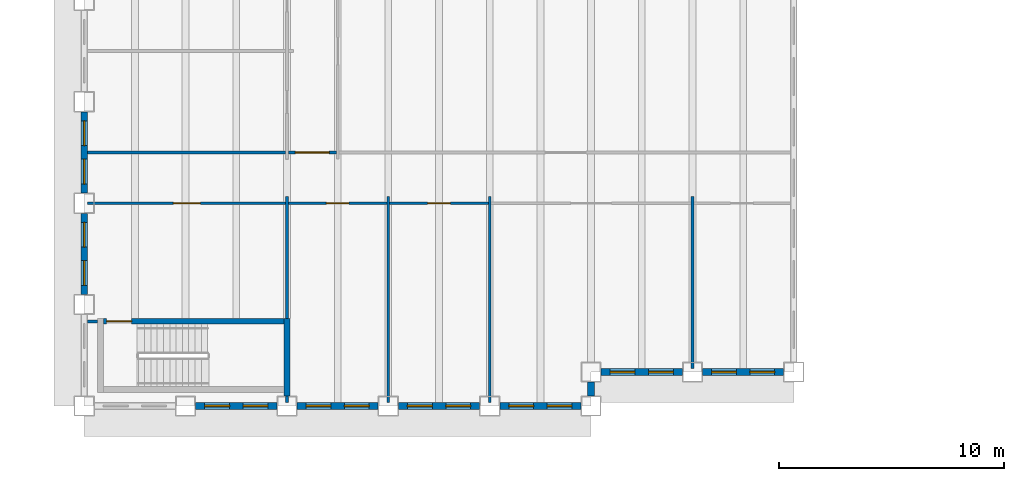
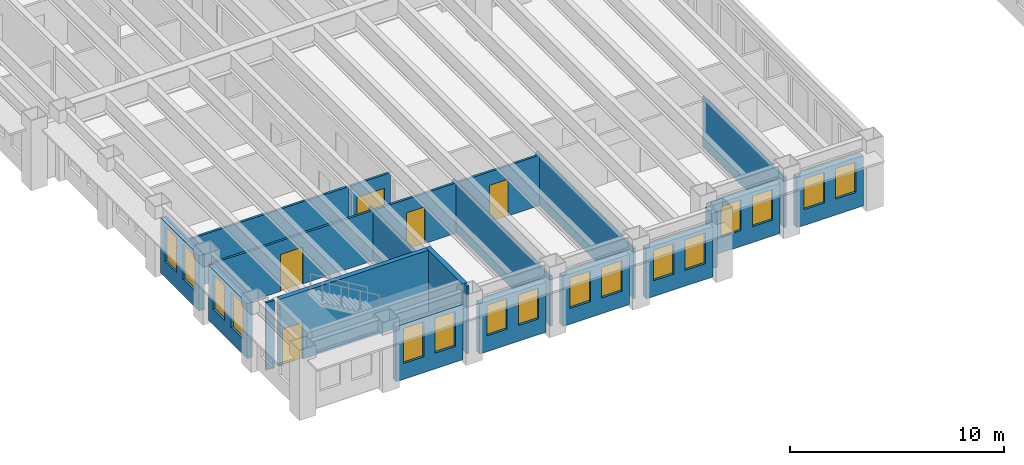
# One storey, part 3 of 13: 22 walls, 16 windows, 5 doors, 21 openings.
"""IFC4 building model written with IfcOpenShell, lengths in metres."""

from ifc_helpers import new_model, si_unit, direction, frame, frame_2d, origin, place, context, subcontext, project, spatial, rectangle, extrude, material, layer, layer_set, type_object, element, fill, save


model = new_model("IFC4")

# Units and contexts
model_context = context("Model", 3, precision=1e-05, world=origin(), true_north=direction((0.0, 1.0)))
body_context = subcontext(model_context, "Body", "Model", "MODEL_VIEW")
ifc_project = project(units=[si_unit("LENGTHUNIT", "METRE"), si_unit("AREAUNIT", "SQUARE_METRE"), si_unit("VOLUMEUNIT", "CUBIC_METRE"), si_unit("PLANEANGLEUNIT", "RADIAN"), si_unit("MASSUNIT", "GRAM", prefix="KILO")], contexts=[model_context])

# Site, building, storey
site_placement = place(None, origin())
site = spatial("IfcSite", under=ifc_project, at=site_placement, CompositionType="ELEMENT")
building_placement = place(site_placement, origin())
building = spatial("IfcBuilding", under=site, at=building_placement, Name="Sennacour Bend Tower", CompositionType="ELEMENT")
storey_placement = place(building_placement, frame((0.0, 0.0, 143.0)))
storey = spatial("IfcBuildingStorey", under=building, at=storey_placement, Name="L32", CompositionType="ELEMENT", Elevation=143.0)

# Walls
ifc_material_1 = material(Name="Plasterboard partition on steel studs", Category="steel")
ifc_layer_1 = layer(ifc_material_1, 0.1201171875, Name="Plasterboard partition on steel studs", Category="steel")
ifc_layer_set_1 = layer_set([ifc_layer_1], Name="Plasterboard partition on steel studs")
wall_type_1 = type_object("IfcWallType", Name="Partition 120", PredefinedType="PARTITIONING", material=ifc_layer_set_1)
wall_1_placement = place(storey_placement, frame((9.0, 0.14990234375, 0.0), z_axis=(0.0, 0.0, 1.0), x_axis=(0.0, 1.0, 0.0)))
element("IfcWall", 1, at=wall_1_placement, inside=storey, type_object=wall_type_1, Name="P-L32-W009a", PredefinedType="PARTITIONING", context=body_context, shape_type="SweptSolid", body=[
    extrude(rectangle(XDim=0.300048828125, YDim=0.1201171875, at=frame_2d((0.14990234375, 0.0))), origin(), (0.0, 0.0, 1.0), 3.85009765625),
])
wall_2_placement = place(storey_placement, frame((9.0, 3.875, 0.0), z_axis=(0.0, 0.0, 1.0), x_axis=(0.0, 1.0, 0.0)))
element("IfcWall", 2, at=wall_2_placement, inside=storey, type_object=wall_type_1, Name="P-L32-W011a", PredefinedType="PARTITIONING", context=body_context, shape_type="SweptSolid", body=[
    extrude(rectangle(XDim=5.425048828125, YDim=0.1201171875, at=frame_2d((2.71240234375, 0.0))), origin(), (0.0, 0.0, 1.0), 2.8701171875),
])
for number, where, z_axis, x_axis, name in (
    (3, (13.5, 0.14990234375, 0.0), (0.0, 0.0, 1.0), (0.0, 1.0, 0.0), "P-L32-W016a"),
    (4, (18.0, 0.14990234375, 0.0), (0.0, 0.0, 1.0), (0.0, 1.0, 0.0), "P-L32-W019a"),
):
    element("IfcWall", number, at=place(storey_placement, frame(where, z_axis=z_axis, x_axis=x_axis)), inside=storey, type_object=wall_type_1, Name=name, PredefinedType="PARTITIONING", context=body_context, shape_type="SweptSolid", body=[
        extrude(rectangle(XDim=9.150146484375, YDim=0.1201171875, at=frame_2d((4.5751953125, 0.0))), origin(), (0.0, 0.0, 1.0), 2.8701171875),
    ])
wall_3_placement = place(storey_placement, frame((27.0, 1.64990234375, 0.0), z_axis=(0.0, 0.0, 1.0), x_axis=(0.0, 1.0, 0.0)))
element("IfcWall", 5, at=wall_3_placement, inside=storey, type_object=wall_type_1, Name="P-L32-W024a", PredefinedType="PARTITIONING", context=body_context, shape_type="SweptSolid", body=[
    extrude(rectangle(XDim=7.650146484375, YDim=0.1201171875, at=frame_2d((3.8251953125, 0.0))), origin(), (0.0, 0.0, 1.0), 2.8701171875),
])
wall_4_placement = place(storey_placement, frame((0.14990234375, 3.75, 0.0), z_axis=(0.0, 0.0, 1.0), x_axis=(1.0, 0.0, 0.0)))
element("IfcWall", 6, at=wall_4_placement, inside=storey, type_object=wall_type_1, Name="P-L32-W044a", PredefinedType="PARTITIONING", context=body_context, shape_type="SweptSolid", body=[
    extrude(rectangle(XDim=0.4501953125, YDim=0.1201171875, at=frame_2d((0.22509765625, 0.0))), origin(), (0.0, 0.0, 1.0), 3.85009765625),
])

# Wall, opening, door
wall_5_placement = place(storey_placement, frame((9.06005859375, 9.0, 0.0), z_axis=(0.0, 0.0, 1.0), x_axis=(1.0, 0.0, 0.0)))
wall_5 = element("IfcWall", 7, at=wall_5_placement, inside=storey, type_object=wall_type_1, Name="P-L32-W051ab", PredefinedType="PARTITIONING", context=body_context, shape_type="SweptSolid", body=[
    extrude(rectangle(XDim=4.3798828125, YDim=0.1201171875, at=frame_2d((2.18994140625, 0.0))), origin(), (0.0, 0.0, 1.0), 2.8701171875),
])
opening_1_placement = place(wall_5_placement, frame((1.68994140625, 0.0, 0.0)))
opening_1 = element("IfcOpeningElement", 8, at=opening_1_placement, cuts=wall_5, Name="Opening OD2", PredefinedType="OPENING", context=body_context, shape_type="SweptSolid", body=[
    extrude(rectangle(XDim=1.0, YDim=2.10009765625, at=frame_2d((0.5, 1.050048828125))), frame((0.0, 0.070068359375, 0.0), z_axis=(0.0, -1.0, 0.0), x_axis=(1.0, 0.0, 0.0)), (0.0, 0.0, 1.0), 0.14013671875),
])
ifc_material_2 = material(Name="Timber", Category="wood")
door_type_1 = type_object("IfcDoorType", Name="DR-OFFICE-1000", OperationType="NOTDEFINED", PredefinedType="DOOR", material=ifc_material_2)
door_1_placement = place(opening_1_placement, origin())
door_1 = element("IfcDoor", 9, at=door_1_placement, inside=storey, type_object=door_type_1, Name="Door", OperationType="SINGLE_SWING_LEFT", OverallHeight=2.10009765625, OverallWidth=1.0, PredefinedType="DOOR", context=body_context, shape_type="SweptSolid", body=[
    extrude(rectangle(XDim=1.0, YDim=2.10009765625, at=frame_2d((0.5, 1.050048828125))), frame((0.0, 0.02490234375, 0.0), z_axis=(0.0, -1.0, 0.0), x_axis=(1.0, 0.0, 0.0)), (0.0, 0.0, 1.0), 0.050048828125),
])
fill(opening_1, door_1)

wall_6_placement = place(storey_placement, frame((13.56005859375, 9.0, 0.0), z_axis=(0.0, 0.0, 1.0), x_axis=(1.0, 0.0, 0.0)))
wall_6 = element("IfcWall", 10, at=wall_6_placement, inside=storey, type_object=wall_type_1, Name="P-L32-W051ac", PredefinedType="PARTITIONING", context=body_context, shape_type="SweptSolid", body=[
    extrude(rectangle(XDim=4.3798828125, YDim=0.1201171875, at=frame_2d((2.18994140625, 0.0))), origin(), (0.0, 0.0, 1.0), 2.8701171875),
])
opening_2_placement = place(wall_6_placement, frame((1.68994140625, 0.0, 0.0)))
opening_2 = element("IfcOpeningElement", 11, at=opening_2_placement, cuts=wall_6, Name="Opening MD2", PredefinedType="OPENING", context=body_context, shape_type="SweptSolid", body=[
    extrude(rectangle(XDim=1.0, YDim=2.10009765625, at=frame_2d((0.5, 1.050048828125))), frame((0.0, 0.070068359375, 0.0), z_axis=(0.0, -1.0, 0.0), x_axis=(1.0, 0.0, 0.0)), (0.0, 0.0, 1.0), 0.14013671875),
])
door_type_2 = type_object("IfcDoorType", Name="DR-MEETING-1000", OperationType="NOTDEFINED", PredefinedType="DOOR", material=ifc_material_2)
door_2_placement = place(opening_2_placement, origin())
door_2 = element("IfcDoor", 12, at=door_2_placement, inside=storey, type_object=door_type_2, Name="Door", OperationType="SINGLE_SWING_LEFT", OverallHeight=2.10009765625, OverallWidth=1.0, PredefinedType="DOOR", context=body_context, shape_type="SweptSolid", body=[
    extrude(rectangle(XDim=1.0, YDim=2.10009765625, at=frame_2d((0.5, 1.050048828125))), frame((0.0, 0.02490234375, 0.0), z_axis=(0.0, -1.0, 0.0), x_axis=(1.0, 0.0, 0.0)), (0.0, 0.0, 1.0), 0.050048828125),
])
fill(opening_2, door_2)

# Wall
wall_7_placement = place(storey_placement, frame((0.14990234375, 11.25, 0.0), z_axis=(0.0, 0.0, 1.0), x_axis=(1.0, 0.0, 0.0)))
element("IfcWall", 13, at=wall_7_placement, inside=storey, type_object=wall_type_1, Name="P-L32-W054aa", PredefinedType="PARTITIONING", context=body_context, shape_type="SweptSolid", body=[
    extrude(rectangle(XDim=8.7900390625, YDim=0.1201171875, at=frame_2d((4.39501953125, 0.0))), origin(), (0.0, 0.0, 1.0), 2.8701171875),
])

# Wall, opening, door
ifc_layer_2 = layer(ifc_material_1, 0.1201171875, Name="Plasterboard partition on steel studs", Category="steel")
ifc_layer_set_2 = layer_set([ifc_layer_2], Name="Plasterboard partition on steel studs")
wall_type_2 = type_object("IfcWallType", Name="Partition 120 EI 30", PredefinedType="PARTITIONING", material=ifc_layer_set_2)
wall_8_placement = place(storey_placement, frame((0.14990234375, 9.0, 0.0), z_axis=(0.0, 0.0, 1.0), x_axis=(1.0, 0.0, 0.0)))
wall_8 = element("IfcWall", 14, at=wall_8_placement, inside=storey, type_object=wall_type_2, Name="P-L32-W051aa", PredefinedType="PARTITIONING", context=body_context, shape_type="SweptSolid", body=[
    extrude(rectangle(XDim=8.7900390625, YDim=0.1201171875, at=frame_2d((4.39501953125, 0.0))), origin(), (0.0, 0.0, 1.0), 2.8701171875),
])
opening_3_placement = place(wall_8_placement, frame((3.80517578125, 0.0, 0.0)))
opening_3 = element("IfcOpeningElement", 15, at=opening_3_placement, cuts=wall_8, Name="Opening KD2", PredefinedType="OPENING", context=body_context, shape_type="SweptSolid", body=[
    extrude(rectangle(XDim=1.199951171875, YDim=2.10009765625, at=frame_2d((0.60009765625, 1.050048828125))), frame((0.0, 0.070068359375, 0.0), z_axis=(0.0, -1.0, 0.0), x_axis=(1.0, 0.0, 0.0)), (0.0, 0.0, 1.0), 0.14013671875),
])
ifc_material_3 = material(Name="Painted steel", Category="steel")
door_type_3 = type_object("IfcDoorType", Name="DR-CORRIDOR-1200", OperationType="NOTDEFINED", PredefinedType="DOOR", material=ifc_material_3)
door_3_placement = place(opening_3_placement, origin())
door_3 = element("IfcDoor", 16, at=door_3_placement, inside=storey, type_object=door_type_3, Name="Door", OperationType="SINGLE_SWING_RIGHT", OverallHeight=2.10009765625, OverallWidth=1.199951171875, PredefinedType="DOOR", context=body_context, shape_type="SweptSolid", body=[
    extrude(rectangle(XDim=1.199951171875, YDim=2.10009765625, at=frame_2d((0.60009765625, 1.050048828125))), frame((0.0, 0.02490234375, 0.0), z_axis=(0.0, -1.0, 0.0), x_axis=(1.0, 0.0, 0.0)), (0.0, 0.0, 1.0), 0.050048828125),
])
fill(opening_3, door_3)

wall_9_placement = place(storey_placement, frame((9.06005859375, 11.25, 0.0), z_axis=(0.0, 0.0, 1.0), x_axis=(1.0, 0.0, 0.0)))
wall_9 = element("IfcWall", 17, at=wall_9_placement, inside=storey, type_object=wall_type_2, Name="P-L32-W054ab", PredefinedType="PARTITIONING", context=body_context, shape_type="SweptSolid", body=[
    extrude(rectangle(XDim=2.1298828125, YDim=0.1201171875, at=frame_2d((1.06494140625, 0.0))), origin(), (0.0, 0.0, 1.0), 2.8701171875),
])
opening_4_placement = place(wall_9_placement, frame((0.31494140625, 0.0, 0.0)))
opening_4 = element("IfcOpeningElement", 18, at=opening_4_placement, cuts=wall_9, Name="Opening KD", PredefinedType="OPENING", context=body_context, shape_type="SweptSolid", body=[
    extrude(rectangle(XDim=1.5, YDim=2.10009765625, at=frame_2d((0.75, 1.050048828125))), frame((0.0, 0.070068359375, 0.0), z_axis=(0.0, -1.0, 0.0), x_axis=(1.0, 0.0, 0.0)), (0.0, 0.0, 1.0), 0.14013671875),
])
door_type_4 = type_object("IfcDoorType", Name="DR-CORRIDOR-1500", OperationType="NOTDEFINED", PredefinedType="DOOR", material=ifc_material_3)
door_4_placement = place(opening_4_placement, origin())
door_4 = element("IfcDoor", 19, at=door_4_placement, inside=storey, type_object=door_type_4, Name="Door", OperationType="SINGLE_SWING_LEFT", OverallHeight=2.10009765625, OverallWidth=1.5, PredefinedType="DOOR", context=body_context, shape_type="SweptSolid", body=[
    extrude(rectangle(XDim=1.5, YDim=2.10009765625, at=frame_2d((0.75, 1.050048828125))), frame((0.0, 0.02490234375, 0.0), z_axis=(0.0, -1.0, 0.0), x_axis=(1.0, 0.0, 0.0)), (0.0, 0.0, 1.0), 0.050048828125),
])
fill(opening_4, door_4)

# Wall, openings, windows
ifc_material_4 = material(Name="Warm limestone cladding", Category="masonry")
ifc_layer_3 = layer(ifc_material_4, 0.050048828125, Name="Warm limestone cladding", Category="masonry")
ifc_material_5 = material(Name="Precast concrete C40/50", Category="concrete")
ifc_layer_4 = layer(ifc_material_5, 0.25, Name="Precast concrete C40/50", Category="concrete")
ifc_layer_set_3 = layer_set([ifc_layer_3, ifc_layer_4], Name="Precast concrete C40/50 with limestone cladding")
wall_type_3 = type_object("IfcWallType", Name="STONE-CLAD PRECAST SPANDREL 300", PredefinedType="STANDARD", material=ifc_layer_set_3)
wall_10_placement = place(storey_placement, frame((0.0, 13.050048828125, 0.0), z_axis=(0.0, 0.0, 1.0), x_axis=(0.0, -1.0, 0.0)))
wall_10 = element("IfcWall", 20, at=wall_10_placement, inside=storey, type_object=wall_type_3, Name="Stone spandrel and pier wall L32 23.02", PredefinedType="STANDARD", context=body_context, shape_type="SweptSolid", body=[
    extrude(rectangle(XDim=3.60009765625, YDim=0.300048828125, at=frame_2d((1.800048828125, 0.0))), origin(), (0.0, 0.0, 1.0), 3.14892578125),
])
opening_5_placement = place(wall_10_placement, frame((0.39990234375, 0.0, 0.89990234375)))
opening_5 = element("IfcOpeningElement", 21, at=opening_5_placement, cuts=wall_10, Name="Opening W19", PredefinedType="OPENING", context=body_context, shape_type="SweptSolid", body=[
    extrude(rectangle(XDim=1.10009765625, YDim=2.0, at=frame_2d((0.550048828125, 1.0))), frame((0.0, 0.16015625, 0.0), z_axis=(0.0, -1.0, 0.0), x_axis=(1.0, 0.0, 0.0)), (0.0, 0.0, 1.0), 0.320068359375),
])
opening_6_placement = place(wall_10_placement, frame((2.10009765625, 0.0, 0.89990234375)))
opening_6 = element("IfcOpeningElement", 22, at=opening_6_placement, cuts=wall_10, Name="Opening W19", PredefinedType="OPENING", context=body_context, shape_type="SweptSolid", body=[
    extrude(rectangle(XDim=1.10009765625, YDim=2.0, at=frame_2d((0.550048828125, 1.0))), frame((0.0, 0.16015625, 0.0), z_axis=(0.0, -1.0, 0.0), x_axis=(1.0, 0.0, 0.0)), (0.0, 0.0, 1.0), 0.320068359375),
])
ifc_material_6 = material(Name="Clear low-emissivity glass", Category="glass")
window_type_1 = type_object("IfcWindowType", Name="WIN-RIBBON-1100x2000", PartitioningType="SINGLE_PANEL", PredefinedType="WINDOW", material=ifc_material_6)
window_1_placement = place(opening_5_placement, origin())
window_1 = element("IfcWindow", 23, at=window_1_placement, inside=storey, type_object=window_type_1, Name="Ribbon window L32 23.02.0", OverallHeight=2.0, OverallWidth=1.10009765625, PartitioningType="SINGLE_PANEL", PredefinedType="WINDOW", context=body_context, shape_type="SweptSolid", body=[
    extrude(rectangle(XDim=1.10009765625, YDim=2.0, at=frame_2d((0.550048828125, 1.0))), frame((0.0, 0.030029296875, 0.0), z_axis=(0.0, -1.0, 0.0), x_axis=(1.0, 0.0, 0.0)), (0.0, 0.0, 1.0), 0.06005859375),
])
fill(opening_5, window_1)
window_2_placement = place(opening_6_placement, origin())
window_2 = element("IfcWindow", 24, at=window_2_placement, inside=storey, type_object=window_type_1, Name="Ribbon window L32 23.02.1", OverallHeight=2.0, OverallWidth=1.10009765625, PartitioningType="SINGLE_PANEL", PredefinedType="WINDOW", context=body_context, shape_type="SweptSolid", body=[
    extrude(rectangle(XDim=1.10009765625, YDim=2.0, at=frame_2d((0.550048828125, 1.0))), frame((0.0, 0.030029296875, 0.0), z_axis=(0.0, -1.0, 0.0), x_axis=(1.0, 0.0, 0.0)), (0.0, 0.0, 1.0), 0.06005859375),
])
fill(opening_6, window_2)

wall_11_placement = place(storey_placement, frame((0.0, 8.550048828125, 0.0), z_axis=(0.0, 0.0, 1.0), x_axis=(0.0, -1.0, 0.0)))
wall_11 = element("IfcWall", 25, at=wall_11_placement, inside=storey, type_object=wall_type_3, Name="Stone spandrel and pier wall L32 23.03", PredefinedType="STANDARD", context=body_context, shape_type="SweptSolid", body=[
    extrude(rectangle(XDim=3.60009765625, YDim=0.300048828125, at=frame_2d((1.800048828125, 0.0))), origin(), (0.0, 0.0, 1.0), 3.14892578125),
])
opening_7_placement = place(wall_11_placement, frame((0.39990234375, 0.0, 0.89990234375)))
opening_7 = element("IfcOpeningElement", 26, at=opening_7_placement, cuts=wall_11, Name="Opening W19", PredefinedType="OPENING", context=body_context, shape_type="SweptSolid", body=[
    extrude(rectangle(XDim=1.10009765625, YDim=2.0, at=frame_2d((0.550048828125, 1.0))), frame((0.0, 0.16015625, 0.0), z_axis=(0.0, -1.0, 0.0), x_axis=(1.0, 0.0, 0.0)), (0.0, 0.0, 1.0), 0.320068359375),
])
opening_8_placement = place(wall_11_placement, frame((2.10009765625, 0.0, 0.89990234375)))
opening_8 = element("IfcOpeningElement", 27, at=opening_8_placement, cuts=wall_11, Name="Opening W19", PredefinedType="OPENING", context=body_context, shape_type="SweptSolid", body=[
    extrude(rectangle(XDim=1.10009765625, YDim=2.0, at=frame_2d((0.550048828125, 1.0))), frame((0.0, 0.16015625, 0.0), z_axis=(0.0, -1.0, 0.0), x_axis=(1.0, 0.0, 0.0)), (0.0, 0.0, 1.0), 0.320068359375),
])
window_3_placement = place(opening_7_placement, origin())
window_3 = element("IfcWindow", 28, at=window_3_placement, inside=storey, type_object=window_type_1, Name="Ribbon window L32 23.03.0", OverallHeight=2.0, OverallWidth=1.10009765625, PartitioningType="SINGLE_PANEL", PredefinedType="WINDOW", context=body_context, shape_type="SweptSolid", body=[
    extrude(rectangle(XDim=1.10009765625, YDim=2.0, at=frame_2d((0.550048828125, 1.0))), frame((0.0, 0.030029296875, 0.0), z_axis=(0.0, -1.0, 0.0), x_axis=(1.0, 0.0, 0.0)), (0.0, 0.0, 1.0), 0.06005859375),
])
fill(opening_7, window_3)
window_4_placement = place(opening_8_placement, origin())
window_4 = element("IfcWindow", 29, at=window_4_placement, inside=storey, type_object=window_type_1, Name="Ribbon window L32 23.03.1", OverallHeight=2.0, OverallWidth=1.10009765625, PartitioningType="SINGLE_PANEL", PredefinedType="WINDOW", context=body_context, shape_type="SweptSolid", body=[
    extrude(rectangle(XDim=1.10009765625, YDim=2.0, at=frame_2d((0.550048828125, 1.0))), frame((0.0, 0.030029296875, 0.0), z_axis=(0.0, -1.0, 0.0), x_axis=(1.0, 0.0, 0.0)), (0.0, 0.0, 1.0), 0.06005859375),
])
fill(opening_8, window_4)

wall_12_placement = place(storey_placement, frame((4.949951171875, 0.0, 0.0), z_axis=(0.0, 0.0, 1.0), x_axis=(1.0, 0.0, 0.0)))
wall_12 = element("IfcWall", 30, at=wall_12_placement, inside=storey, type_object=wall_type_3, Name="Stone spandrel and pier wall L32 24.01", PredefinedType="STANDARD", context=body_context, shape_type="SweptSolid", body=[
    extrude(rectangle(XDim=3.60009765625, YDim=0.300048828125, at=frame_2d((1.800048828125, 0.0))), origin(), (0.0, 0.0, 1.0), 3.14892578125),
])
opening_9_placement = place(wall_12_placement, frame((0.39990234375, 0.0, 0.89990234375)))
opening_9 = element("IfcOpeningElement", 31, at=opening_9_placement, cuts=wall_12, Name="Opening W19", PredefinedType="OPENING", context=body_context, shape_type="SweptSolid", body=[
    extrude(rectangle(XDim=1.10009765625, YDim=2.0, at=frame_2d((0.550048828125, 1.0))), frame((0.0, 0.16015625, 0.0), z_axis=(0.0, -1.0, 0.0), x_axis=(1.0, 0.0, 0.0)), (0.0, 0.0, 1.0), 0.320068359375),
])
opening_10_placement = place(wall_12_placement, frame((2.10009765625, 0.0, 0.89990234375)))
opening_10 = element("IfcOpeningElement", 32, at=opening_10_placement, cuts=wall_12, Name="Opening W19", PredefinedType="OPENING", context=body_context, shape_type="SweptSolid", body=[
    extrude(rectangle(XDim=1.10009765625, YDim=2.0, at=frame_2d((0.550048828125, 1.0))), frame((0.0, 0.16015625, 0.0), z_axis=(0.0, -1.0, 0.0), x_axis=(1.0, 0.0, 0.0)), (0.0, 0.0, 1.0), 0.320068359375),
])
window_5_placement = place(opening_9_placement, origin())
window_5 = element("IfcWindow", 33, at=window_5_placement, inside=storey, type_object=window_type_1, Name="Ribbon window L32 24.01.0", OverallHeight=2.0, OverallWidth=1.10009765625, PartitioningType="SINGLE_PANEL", PredefinedType="WINDOW", context=body_context, shape_type="SweptSolid", body=[
    extrude(rectangle(XDim=1.10009765625, YDim=2.0, at=frame_2d((0.550048828125, 1.0))), frame((0.0, 0.030029296875, 0.0), z_axis=(0.0, -1.0, 0.0), x_axis=(1.0, 0.0, 0.0)), (0.0, 0.0, 1.0), 0.06005859375),
])
fill(opening_9, window_5)
window_6_placement = place(opening_10_placement, origin())
window_6 = element("IfcWindow", 34, at=window_6_placement, inside=storey, type_object=window_type_1, Name="Ribbon window L32 24.01.1", OverallHeight=2.0, OverallWidth=1.10009765625, PartitioningType="SINGLE_PANEL", PredefinedType="WINDOW", context=body_context, shape_type="SweptSolid", body=[
    extrude(rectangle(XDim=1.10009765625, YDim=2.0, at=frame_2d((0.550048828125, 1.0))), frame((0.0, 0.030029296875, 0.0), z_axis=(0.0, -1.0, 0.0), x_axis=(1.0, 0.0, 0.0)), (0.0, 0.0, 1.0), 0.06005859375),
])
fill(opening_10, window_6)

wall_13_placement = place(storey_placement, frame((9.449951171875, 0.0, 0.0), z_axis=(0.0, 0.0, 1.0), x_axis=(1.0, 0.0, 0.0)))
wall_13 = element("IfcWall", 35, at=wall_13_placement, inside=storey, type_object=wall_type_3, Name="Stone spandrel and pier wall L32 24.02", PredefinedType="STANDARD", context=body_context, shape_type="SweptSolid", body=[
    extrude(rectangle(XDim=3.60009765625, YDim=0.300048828125, at=frame_2d((1.800048828125, 0.0))), origin(), (0.0, 0.0, 1.0), 2.8701171875),
])
opening_11_placement = place(wall_13_placement, frame((0.39990234375, 0.0, 0.89990234375)))
opening_11 = element("IfcOpeningElement", 36, at=opening_11_placement, cuts=wall_13, Name="Opening W17", PredefinedType="OPENING", context=body_context, shape_type="SweptSolid", body=[
    extrude(rectangle(XDim=1.10009765625, YDim=1.75, at=frame_2d((0.550048828125, 0.875))), frame((0.0, 0.16015625, 0.0), z_axis=(0.0, -1.0, 0.0), x_axis=(1.0, 0.0, 0.0)), (0.0, 0.0, 1.0), 0.320068359375),
])
opening_12_placement = place(wall_13_placement, frame((2.10009765625, 0.0, 0.89990234375)))
opening_12 = element("IfcOpeningElement", 37, at=opening_12_placement, cuts=wall_13, Name="Opening W17", PredefinedType="OPENING", context=body_context, shape_type="SweptSolid", body=[
    extrude(rectangle(XDim=1.10009765625, YDim=1.75, at=frame_2d((0.550048828125, 0.875))), frame((0.0, 0.16015625, 0.0), z_axis=(0.0, -1.0, 0.0), x_axis=(1.0, 0.0, 0.0)), (0.0, 0.0, 1.0), 0.320068359375),
])
window_type_2 = type_object("IfcWindowType", Name="WIN-RIBBON-1100x1750", PartitioningType="SINGLE_PANEL", PredefinedType="WINDOW", material=ifc_material_6)
window_7_placement = place(opening_11_placement, origin())
window_7 = element("IfcWindow", 38, at=window_7_placement, inside=storey, type_object=window_type_2, Name="Ribbon window L32 24.02.0", OverallHeight=1.75, OverallWidth=1.10009765625, PartitioningType="SINGLE_PANEL", PredefinedType="WINDOW", context=body_context, shape_type="SweptSolid", body=[
    extrude(rectangle(XDim=1.10009765625, YDim=1.75, at=frame_2d((0.550048828125, 0.875))), frame((0.0, 0.030029296875, 0.0), z_axis=(0.0, -1.0, 0.0), x_axis=(1.0, 0.0, 0.0)), (0.0, 0.0, 1.0), 0.06005859375),
])
fill(opening_11, window_7)
window_8_placement = place(opening_12_placement, origin())
window_8 = element("IfcWindow", 39, at=window_8_placement, inside=storey, type_object=window_type_2, Name="Ribbon window L32 24.02.1", OverallHeight=1.75, OverallWidth=1.10009765625, PartitioningType="SINGLE_PANEL", PredefinedType="WINDOW", context=body_context, shape_type="SweptSolid", body=[
    extrude(rectangle(XDim=1.10009765625, YDim=1.75, at=frame_2d((0.550048828125, 0.875))), frame((0.0, 0.030029296875, 0.0), z_axis=(0.0, -1.0, 0.0), x_axis=(1.0, 0.0, 0.0)), (0.0, 0.0, 1.0), 0.06005859375),
])
fill(opening_12, window_8)

wall_14_placement = place(storey_placement, frame((13.949951171875, 0.0, 0.0), z_axis=(0.0, 0.0, 1.0), x_axis=(1.0, 0.0, 0.0)))
wall_14 = element("IfcWall", 40, at=wall_14_placement, inside=storey, type_object=wall_type_3, Name="Stone spandrel and pier wall L32 24.03", PredefinedType="STANDARD", context=body_context, shape_type="SweptSolid", body=[
    extrude(rectangle(XDim=3.60009765625, YDim=0.300048828125, at=frame_2d((1.800048828125, 0.0))), origin(), (0.0, 0.0, 1.0), 2.8701171875),
])
opening_13_placement = place(wall_14_placement, frame((0.39990234375, 0.0, 0.89990234375)))
opening_13 = element("IfcOpeningElement", 41, at=opening_13_placement, cuts=wall_14, Name="Opening W17", PredefinedType="OPENING", context=body_context, shape_type="SweptSolid", body=[
    extrude(rectangle(XDim=1.10009765625, YDim=1.75, at=frame_2d((0.550048828125, 0.875))), frame((0.0, 0.16015625, 0.0), z_axis=(0.0, -1.0, 0.0), x_axis=(1.0, 0.0, 0.0)), (0.0, 0.0, 1.0), 0.320068359375),
])
opening_14_placement = place(wall_14_placement, frame((2.10009765625, 0.0, 0.89990234375)))
opening_14 = element("IfcOpeningElement", 42, at=opening_14_placement, cuts=wall_14, Name="Opening W17", PredefinedType="OPENING", context=body_context, shape_type="SweptSolid", body=[
    extrude(rectangle(XDim=1.10009765625, YDim=1.75, at=frame_2d((0.550048828125, 0.875))), frame((0.0, 0.16015625, 0.0), z_axis=(0.0, -1.0, 0.0), x_axis=(1.0, 0.0, 0.0)), (0.0, 0.0, 1.0), 0.320068359375),
])
window_9_placement = place(opening_13_placement, origin())
window_9 = element("IfcWindow", 43, at=window_9_placement, inside=storey, type_object=window_type_2, Name="Ribbon window L32 24.03.0", OverallHeight=1.75, OverallWidth=1.10009765625, PartitioningType="SINGLE_PANEL", PredefinedType="WINDOW", context=body_context, shape_type="SweptSolid", body=[
    extrude(rectangle(XDim=1.10009765625, YDim=1.75, at=frame_2d((0.550048828125, 0.875))), frame((0.0, 0.030029296875, 0.0), z_axis=(0.0, -1.0, 0.0), x_axis=(1.0, 0.0, 0.0)), (0.0, 0.0, 1.0), 0.06005859375),
])
fill(opening_13, window_9)
window_10_placement = place(opening_14_placement, origin())
window_10 = element("IfcWindow", 44, at=window_10_placement, inside=storey, type_object=window_type_2, Name="Ribbon window L32 24.03.1", OverallHeight=1.75, OverallWidth=1.10009765625, PartitioningType="SINGLE_PANEL", PredefinedType="WINDOW", context=body_context, shape_type="SweptSolid", body=[
    extrude(rectangle(XDim=1.10009765625, YDim=1.75, at=frame_2d((0.550048828125, 0.875))), frame((0.0, 0.030029296875, 0.0), z_axis=(0.0, -1.0, 0.0), x_axis=(1.0, 0.0, 0.0)), (0.0, 0.0, 1.0), 0.06005859375),
])
fill(opening_14, window_10)

wall_15_placement = place(storey_placement, frame((18.449951171875, 0.0, 0.0), z_axis=(0.0, 0.0, 1.0), x_axis=(1.0, 0.0, 0.0)))
wall_15 = element("IfcWall", 45, at=wall_15_placement, inside=storey, type_object=wall_type_3, Name="Stone spandrel and pier wall L32 24.04", PredefinedType="STANDARD", context=body_context, shape_type="SweptSolid", body=[
    extrude(rectangle(XDim=3.60009765625, YDim=0.300048828125, at=frame_2d((1.800048828125, 0.0))), origin(), (0.0, 0.0, 1.0), 2.8701171875),
])
opening_15_placement = place(wall_15_placement, frame((0.39990234375, 0.0, 0.89990234375)))
opening_15 = element("IfcOpeningElement", 46, at=opening_15_placement, cuts=wall_15, Name="Opening W17", PredefinedType="OPENING", context=body_context, shape_type="SweptSolid", body=[
    extrude(rectangle(XDim=1.10009765625, YDim=1.75, at=frame_2d((0.550048828125, 0.875))), frame((0.0, 0.16015625, 0.0), z_axis=(0.0, -1.0, 0.0), x_axis=(1.0, 0.0, 0.0)), (0.0, 0.0, 1.0), 0.320068359375),
])
opening_16_placement = place(wall_15_placement, frame((2.10009765625, 0.0, 0.89990234375)))
opening_16 = element("IfcOpeningElement", 47, at=opening_16_placement, cuts=wall_15, Name="Opening W17", PredefinedType="OPENING", context=body_context, shape_type="SweptSolid", body=[
    extrude(rectangle(XDim=1.10009765625, YDim=1.75, at=frame_2d((0.550048828125, 0.875))), frame((0.0, 0.16015625, 0.0), z_axis=(0.0, -1.0, 0.0), x_axis=(1.0, 0.0, 0.0)), (0.0, 0.0, 1.0), 0.320068359375),
])
window_11_placement = place(opening_15_placement, origin())
window_11 = element("IfcWindow", 48, at=window_11_placement, inside=storey, type_object=window_type_2, Name="Ribbon window L32 24.04.0", OverallHeight=1.75, OverallWidth=1.10009765625, PartitioningType="SINGLE_PANEL", PredefinedType="WINDOW", context=body_context, shape_type="SweptSolid", body=[
    extrude(rectangle(XDim=1.10009765625, YDim=1.75, at=frame_2d((0.550048828125, 0.875))), frame((0.0, 0.030029296875, 0.0), z_axis=(0.0, -1.0, 0.0), x_axis=(1.0, 0.0, 0.0)), (0.0, 0.0, 1.0), 0.06005859375),
])
fill(opening_15, window_11)
window_12_placement = place(opening_16_placement, origin())
window_12 = element("IfcWindow", 49, at=window_12_placement, inside=storey, type_object=window_type_2, Name="Ribbon window L32 24.04.1", OverallHeight=1.75, OverallWidth=1.10009765625, PartitioningType="SINGLE_PANEL", PredefinedType="WINDOW", context=body_context, shape_type="SweptSolid", body=[
    extrude(rectangle(XDim=1.10009765625, YDim=1.75, at=frame_2d((0.550048828125, 0.875))), frame((0.0, 0.030029296875, 0.0), z_axis=(0.0, -1.0, 0.0), x_axis=(1.0, 0.0, 0.0)), (0.0, 0.0, 1.0), 0.06005859375),
])
fill(opening_16, window_12)

# Wall
wall_16_placement = place(storey_placement, frame((22.5, 0.449951171875, 0.0), z_axis=(0.0, 0.0, 1.0), x_axis=(0.0, 1.0, 0.0)))
element("IfcWall", 50, at=wall_16_placement, inside=storey, type_object=wall_type_3, Name="Stone spandrel and pier wall L32 25.00", PredefinedType="STANDARD", context=body_context, shape_type="SweptSolid", body=[
    extrude(rectangle(XDim=0.60009765625, YDim=0.300048828125, at=frame_2d((0.300048828125, 0.0))), origin(), (0.0, 0.0, 1.0), 3.14892578125),
])

# Wall, openings, windows
wall_17_placement = place(storey_placement, frame((22.949951171875, 1.5, 0.0), z_axis=(0.0, 0.0, 1.0), x_axis=(1.0, 0.0, 0.0)))
wall_17 = element("IfcWall", 51, at=wall_17_placement, inside=storey, type_object=wall_type_3, Name="Stone spandrel and pier wall L32 26.00", PredefinedType="STANDARD", context=body_context, shape_type="SweptSolid", body=[
    extrude(rectangle(XDim=3.60009765625, YDim=0.300048828125, at=frame_2d((1.800048828125, 0.0))), origin(), (0.0, 0.0, 1.0), 2.8701171875),
])
opening_17_placement = place(wall_17_placement, frame((0.39990234375, 0.0, 0.89990234375)))
opening_17 = element("IfcOpeningElement", 52, at=opening_17_placement, cuts=wall_17, Name="Opening W17", PredefinedType="OPENING", context=body_context, shape_type="SweptSolid", body=[
    extrude(rectangle(XDim=1.10009765625, YDim=1.75, at=frame_2d((0.550048828125, 0.875))), frame((0.0, 0.16015625, 0.0), z_axis=(0.0, -1.0, 0.0), x_axis=(1.0, 0.0, 0.0)), (0.0, 0.0, 1.0), 0.320068359375),
])
opening_18_placement = place(wall_17_placement, frame((2.10009765625, 0.0, 0.89990234375)))
opening_18 = element("IfcOpeningElement", 53, at=opening_18_placement, cuts=wall_17, Name="Opening W17", PredefinedType="OPENING", context=body_context, shape_type="SweptSolid", body=[
    extrude(rectangle(XDim=1.10009765625, YDim=1.75, at=frame_2d((0.550048828125, 0.875))), frame((0.0, 0.16015625, 0.0), z_axis=(0.0, -1.0, 0.0), x_axis=(1.0, 0.0, 0.0)), (0.0, 0.0, 1.0), 0.320068359375),
])
window_13_placement = place(opening_17_placement, origin())
window_13 = element("IfcWindow", 54, at=window_13_placement, inside=storey, type_object=window_type_2, Name="Ribbon window L32 26.00.0", OverallHeight=1.75, OverallWidth=1.10009765625, PartitioningType="SINGLE_PANEL", PredefinedType="WINDOW", context=body_context, shape_type="SweptSolid", body=[
    extrude(rectangle(XDim=1.10009765625, YDim=1.75, at=frame_2d((0.550048828125, 0.875))), frame((0.0, 0.030029296875, 0.0), z_axis=(0.0, -1.0, 0.0), x_axis=(1.0, 0.0, 0.0)), (0.0, 0.0, 1.0), 0.06005859375),
])
fill(opening_17, window_13)
window_14_placement = place(opening_18_placement, origin())
window_14 = element("IfcWindow", 55, at=window_14_placement, inside=storey, type_object=window_type_2, Name="Ribbon window L32 26.00.1", OverallHeight=1.75, OverallWidth=1.10009765625, PartitioningType="SINGLE_PANEL", PredefinedType="WINDOW", context=body_context, shape_type="SweptSolid", body=[
    extrude(rectangle(XDim=1.10009765625, YDim=1.75, at=frame_2d((0.550048828125, 0.875))), frame((0.0, 0.030029296875, 0.0), z_axis=(0.0, -1.0, 0.0), x_axis=(1.0, 0.0, 0.0)), (0.0, 0.0, 1.0), 0.06005859375),
])
fill(opening_18, window_14)

wall_18_placement = place(storey_placement, frame((27.449951171875, 1.5, 0.0), z_axis=(0.0, 0.0, 1.0), x_axis=(1.0, 0.0, 0.0)))
wall_18 = element("IfcWall", 56, at=wall_18_placement, inside=storey, type_object=wall_type_3, Name="Stone spandrel and pier wall L32 26.01", PredefinedType="STANDARD", context=body_context, shape_type="SweptSolid", body=[
    extrude(rectangle(XDim=3.60009765625, YDim=0.300048828125, at=frame_2d((1.800048828125, 0.0))), origin(), (0.0, 0.0, 1.0), 2.8701171875),
])
opening_19_placement = place(wall_18_placement, frame((0.39990234375, 0.0, 0.89990234375)))
opening_19 = element("IfcOpeningElement", 57, at=opening_19_placement, cuts=wall_18, Name="Opening W17", PredefinedType="OPENING", context=body_context, shape_type="SweptSolid", body=[
    extrude(rectangle(XDim=1.10009765625, YDim=1.75, at=frame_2d((0.550048828125, 0.875))), frame((0.0, 0.16015625, 0.0), z_axis=(0.0, -1.0, 0.0), x_axis=(1.0, 0.0, 0.0)), (0.0, 0.0, 1.0), 0.320068359375),
])
opening_20_placement = place(wall_18_placement, frame((2.10009765625, 0.0, 0.89990234375)))
opening_20 = element("IfcOpeningElement", 58, at=opening_20_placement, cuts=wall_18, Name="Opening W17", PredefinedType="OPENING", context=body_context, shape_type="SweptSolid", body=[
    extrude(rectangle(XDim=1.10009765625, YDim=1.75, at=frame_2d((0.550048828125, 0.875))), frame((0.0, 0.16015625, 0.0), z_axis=(0.0, -1.0, 0.0), x_axis=(1.0, 0.0, 0.0)), (0.0, 0.0, 1.0), 0.320068359375),
])
window_15_placement = place(opening_19_placement, origin())
window_15 = element("IfcWindow", 59, at=window_15_placement, inside=storey, type_object=window_type_2, Name="Ribbon window L32 26.01.0", OverallHeight=1.75, OverallWidth=1.10009765625, PartitioningType="SINGLE_PANEL", PredefinedType="WINDOW", context=body_context, shape_type="SweptSolid", body=[
    extrude(rectangle(XDim=1.10009765625, YDim=1.75, at=frame_2d((0.550048828125, 0.875))), frame((0.0, 0.030029296875, 0.0), z_axis=(0.0, -1.0, 0.0), x_axis=(1.0, 0.0, 0.0)), (0.0, 0.0, 1.0), 0.06005859375),
])
fill(opening_19, window_15)
window_16_placement = place(opening_20_placement, origin())
window_16 = element("IfcWindow", 60, at=window_16_placement, inside=storey, type_object=window_type_2, Name="Ribbon window L32 26.01.1", OverallHeight=1.75, OverallWidth=1.10009765625, PartitioningType="SINGLE_PANEL", PredefinedType="WINDOW", context=body_context, shape_type="SweptSolid", body=[
    extrude(rectangle(XDim=1.10009765625, YDim=1.75, at=frame_2d((0.550048828125, 0.875))), frame((0.0, 0.030029296875, 0.0), z_axis=(0.0, -1.0, 0.0), x_axis=(1.0, 0.0, 0.0)), (0.0, 0.0, 1.0), 0.06005859375),
])
fill(opening_20, window_16)

# Wall
ifc_material_7 = material(Name="Concrete C60/75", Category="concrete")
ifc_layer_5 = layer(ifc_material_7, 0.25, Name="Concrete C60/75", Category="concrete")
ifc_layer_set_4 = layer_set([ifc_layer_5], Name="Concrete C60/75")
wall_type_4 = type_object("IfcWallType", Name="Stair wall 250", PredefinedType="SHEAR", material=ifc_layer_set_4)
wall_19_placement = place(storey_placement, frame((9.0, 0.449951171875, 0.0), z_axis=(0.0, 0.0, 1.0), x_axis=(0.0, 1.0, 0.0)))
element("IfcWall", 61, at=wall_19_placement, inside=storey, type_object=wall_type_4, Name="P-L32-W010", PredefinedType="SHEAR", context=body_context, shape_type="SweptSolid", body=[
    extrude(rectangle(XDim=3.425048828125, YDim=0.25, at=frame_2d((1.71240234375, 0.0))), origin(), (0.0, 0.0, 1.0), 3.85009765625),
])

# Wall, opening, door
wall_20_placement = place(storey_placement, frame((0.85009765625, 3.75, 0.0), z_axis=(0.0, 0.0, 1.0), x_axis=(1.0, 0.0, 0.0)))
wall_20 = element("IfcWall", 62, at=wall_20_placement, inside=storey, type_object=wall_type_4, Name="P-L32-W045", PredefinedType="SHEAR", context=body_context, shape_type="SweptSolid", body=[
    extrude(rectangle(XDim=8.02490234375, YDim=0.25, at=frame_2d((4.012451171875, 0.0))), origin(), (0.0, 0.0, 1.0), 3.85009765625),
])
opening_21_placement = place(wall_20_placement, frame((0.14990234375, 0.0, 0.0)))
opening_21 = element("IfcOpeningElement", 63, at=opening_21_placement, cuts=wall_20, Name="Opening SD", PredefinedType="OPENING", context=body_context, shape_type="SweptSolid", body=[
    extrude(rectangle(XDim=1.10009765625, YDim=2.10009765625, at=frame_2d((0.550048828125, 1.050048828125))), frame((0.0, 0.135009765625, 0.0), z_axis=(0.0, -1.0, 0.0), x_axis=(1.0, 0.0, 0.0)), (0.0, 0.0, 1.0), 0.27001953125),
])
door_type_5 = type_object("IfcDoorType", Name="DR-STAIR-1100", OperationType="NOTDEFINED", PredefinedType="DOOR", material=ifc_material_3)
door_5_placement = place(opening_21_placement, origin())
door_5 = element("IfcDoor", 64, at=door_5_placement, inside=storey, type_object=door_type_5, Name="Door", OperationType="SINGLE_SWING_LEFT", OverallHeight=2.10009765625, OverallWidth=1.10009765625, PredefinedType="DOOR", context=body_context, shape_type="SweptSolid", body=[
    extrude(rectangle(XDim=1.10009765625, YDim=2.10009765625, at=frame_2d((0.550048828125, 1.050048828125))), frame((0.0, 0.02490234375, 0.0), z_axis=(0.0, -1.0, 0.0), x_axis=(1.0, 0.0, 0.0)), (0.0, 0.0, 1.0), 0.050048828125),
])
fill(opening_21, door_5)

save(model, "model.ifc")
